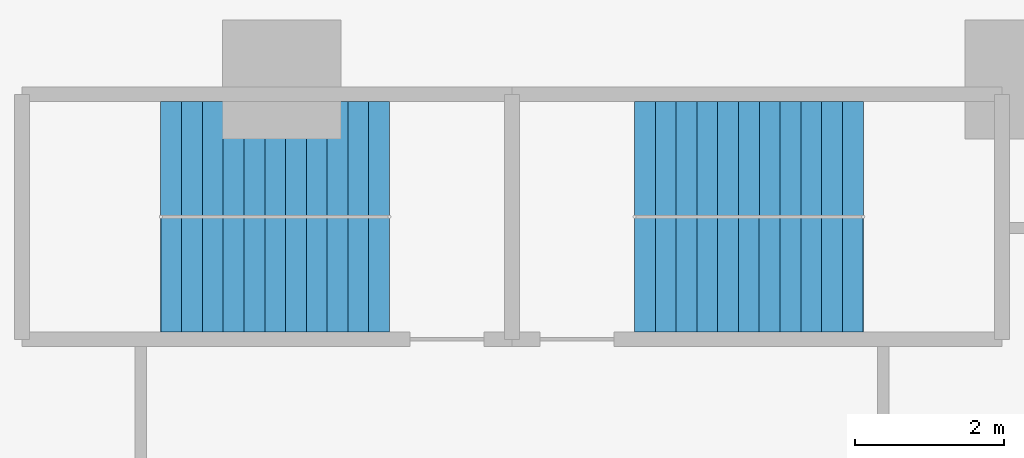
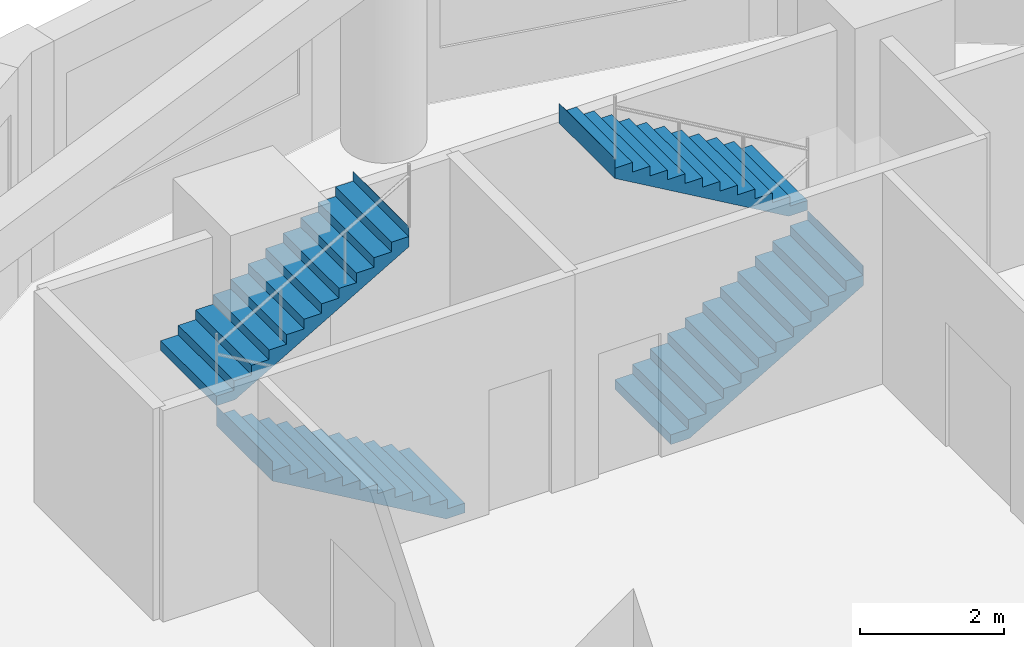
# One storey, part 8 of 10: 4 stair flights, 2 elements without a shape of their own.
"""IFC4 building model written with IfcOpenShell, lengths in metres."""

from ifc_helpers import new_model, si_unit, direction, frame, origin, place, context, subcontext, project, spatial, polyline, outline, extrude, material, type_object, element, aggregate, save


model = new_model("IFC4")

# Units and contexts
model_context = context("Model", 3, precision=1e-05, world=origin(), true_north=direction((0.0, 1.0)))
body_context = subcontext(model_context, "Body", "Model", "MODEL_VIEW")
ifc_project = project(units=[si_unit("LENGTHUNIT", "METRE"), si_unit("AREAUNIT", "SQUARE_METRE"), si_unit("VOLUMEUNIT", "CUBIC_METRE"), si_unit("PLANEANGLEUNIT", "RADIAN"), si_unit("MASSUNIT", "GRAM", prefix="KILO")], contexts=[model_context])

# Site, building, storey
site_placement = place(None, origin())
site = spatial("IfcSite", under=ifc_project, at=site_placement, CompositionType="ELEMENT")
building_placement = place(site_placement, origin())
building = spatial("IfcBuilding", under=site, at=building_placement, Name="Qaws Garden Tower", CompositionType="ELEMENT")
storey_placement = place(building_placement, frame((0.0, 0.0, 62.699951171875)))
storey = spatial("IfcBuildingStorey", under=building, at=storey_placement, Name="L15", CompositionType="ELEMENT", Elevation=62.699951171875)

# Stair, stair flights
ifc_material_1 = material(Name="Concrete C40", Category="concrete")
stair_type = type_object("IfcStairType", Name="Exit stair 1350", PredefinedType="HALF_TURN_STAIR", material=ifc_material_1)
placement = place(storey_placement, origin())
stair_1 = element("IfcStair", 1, at=placement, inside=storey, type_object=stair_type, Name="Stair 6", PredefinedType="HALF_TURN_STAIR")
ifc_material_2 = material(Name="Concrete C40", Category="concrete")
stair_flight_type = type_object("IfcStairFlightType", Name="Stair flight 1350", PredefinedType="STRAIGHT", material=ifc_material_2)
stair_flight_1_placement = place(storey_placement, frame((11.449951171875, 67.375, 0.0), z_axis=(0.0, 0.0, 1.0), x_axis=(-1.0, 0.0, 0.0)))
stair_flight_1 = element("IfcStairFlight", 2, at=stair_flight_1_placement, type_object=stair_flight_type, Name="ST6 flight 1", NumberOfRisers=12, NumberOfTreads=11, PredefinedType="STRAIGHT", RiserHeight=0.1625, TreadLength=0.28, context=body_context, shape_type="SweptSolid", body=[
    extrude(outline(polyline([(-0.0029296875, 0.0), (-0.0029296875, 0.16259765625), (0.0, 0.16259765625), (0.280029296875, 0.16259765625), (0.280029296875, 0.324951171875), (0.56005859375, 0.324951171875), (0.56005859375, 0.487548828125), (0.840087890625, 0.487548828125), (0.840087890625, 0.64990234375), (1.1201171875, 0.64990234375), (1.1201171875, 0.8125), (1.39990234375, 0.8125), (1.39990234375, 0.97509765625), (1.679931640625, 0.97509765625), (1.679931640625, 1.137451171875), (1.9599609375, 1.137451171875), (1.9599609375, 1.300048828125), (2.239990234375, 1.300048828125), (2.239990234375, 1.46240234375), (2.52001953125, 1.46240234375), (2.52001953125, 1.625), (2.800048828125, 1.625), (2.800048828125, 1.78759765625), (3.080078125, 1.78759765625), (3.080078125, 1.949951171875), (3.0830078125, 1.949951171875), (3.0830078125, 1.6142578125), (3.080078125, 1.6142578125), (0.298583984375, 0.0), (-0.0029296875, 0.0)])), frame((0.0, 0.77490234375, 0.0), z_axis=(0.0, -1.0, 0.0), x_axis=(1.0, 0.0, 0.0)), (0.0, 0.0, 1.0), 1.550048828125),
])
stair_flight_2_placement = place(storey_placement, frame((8.3701171875, 68.925048828125, 1.949951171875), z_axis=(0.0, 0.0, 1.0), x_axis=(1.0, 0.0, 0.0)))
stair_flight_2 = element("IfcStairFlight", 3, at=stair_flight_2_placement, type_object=stair_flight_type, Name="ST6 flight 2", NumberOfRisers=12, NumberOfTreads=11, PredefinedType="STRAIGHT", RiserHeight=0.1625, TreadLength=0.28, context=body_context, shape_type="SweptSolid", body=[
    extrude(outline(polyline([(-0.0029296875, 0.0), (-0.0029296875, 0.16259765625), (0.0, 0.16259765625), (0.280029296875, 0.16259765625), (0.280029296875, 0.324951171875), (0.56005859375, 0.324951171875), (0.56005859375, 0.487548828125), (0.840087890625, 0.487548828125), (0.840087890625, 0.64990234375), (1.1201171875, 0.64990234375), (1.1201171875, 0.8125), (1.39990234375, 0.8125), (1.39990234375, 0.97509765625), (1.679931640625, 0.97509765625), (1.679931640625, 1.137451171875), (1.9599609375, 1.137451171875), (1.9599609375, 1.300048828125), (2.239990234375, 1.300048828125), (2.239990234375, 1.46240234375), (2.52001953125, 1.46240234375), (2.52001953125, 1.625), (2.800048828125, 1.625), (2.800048828125, 1.78759765625), (3.080078125, 1.78759765625), (3.080078125, 1.949951171875), (3.0830078125, 1.949951171875), (3.0830078125, 1.6142578125), (3.080078125, 1.6142578125), (0.298583984375, 0.0), (-0.0029296875, 0.0)])), frame((0.0, 0.77490234375, 0.0), z_axis=(0.0, -1.0, 0.0), x_axis=(1.0, 0.0, 0.0)), (0.0, 0.0, 1.0), 1.550048828125),
])
aggregate(stair_1, [stair_flight_1, stair_flight_2])

stair_2 = element("IfcStair", 4, at=placement, inside=storey, type_object=stair_type, Name="Stair 7", PredefinedType="HALF_TURN_STAIR")
stair_flight_3_placement = place(storey_placement, frame((14.75, 67.375, 0.0), z_axis=(0.0, 0.0, 1.0), x_axis=(1.0, 0.0, 0.0)))
stair_flight_3 = element("IfcStairFlight", 5, at=stair_flight_3_placement, type_object=stair_flight_type, Name="ST7 flight 1", NumberOfRisers=12, NumberOfTreads=11, PredefinedType="STRAIGHT", RiserHeight=0.1625, TreadLength=0.28, context=body_context, shape_type="SweptSolid", body=[
    extrude(outline(polyline([(-0.0029296875, 0.0), (-0.0029296875, 0.16259765625), (0.0, 0.16259765625), (0.280029296875, 0.16259765625), (0.280029296875, 0.324951171875), (0.56005859375, 0.324951171875), (0.56005859375, 0.487548828125), (0.840087890625, 0.487548828125), (0.840087890625, 0.64990234375), (1.1201171875, 0.64990234375), (1.1201171875, 0.8125), (1.39990234375, 0.8125), (1.39990234375, 0.97509765625), (1.679931640625, 0.97509765625), (1.679931640625, 1.137451171875), (1.9599609375, 1.137451171875), (1.9599609375, 1.300048828125), (2.239990234375, 1.300048828125), (2.239990234375, 1.46240234375), (2.52001953125, 1.46240234375), (2.52001953125, 1.625), (2.800048828125, 1.625), (2.800048828125, 1.78759765625), (3.080078125, 1.78759765625), (3.080078125, 1.949951171875), (3.0830078125, 1.949951171875), (3.0830078125, 1.6142578125), (3.080078125, 1.6142578125), (0.298583984375, 0.0), (-0.0029296875, 0.0)])), frame((0.0, 0.77490234375, 0.0), z_axis=(0.0, -1.0, 0.0), x_axis=(1.0, 0.0, 0.0)), (0.0, 0.0, 1.0), 1.550048828125),
])
stair_flight_4_placement = place(storey_placement, frame((17.830078125, 68.925048828125, 1.949951171875), z_axis=(0.0, 0.0, 1.0), x_axis=(-1.0, 0.0, 0.0)))
stair_flight_4 = element("IfcStairFlight", 6, at=stair_flight_4_placement, type_object=stair_flight_type, Name="ST7 flight 2", NumberOfRisers=12, NumberOfTreads=11, PredefinedType="STRAIGHT", RiserHeight=0.1625, TreadLength=0.28, context=body_context, shape_type="SweptSolid", body=[
    extrude(outline(polyline([(-0.0029296875, 0.0), (-0.0029296875, 0.16259765625), (0.0, 0.16259765625), (0.280029296875, 0.16259765625), (0.280029296875, 0.324951171875), (0.56005859375, 0.324951171875), (0.56005859375, 0.487548828125), (0.840087890625, 0.487548828125), (0.840087890625, 0.64990234375), (1.1201171875, 0.64990234375), (1.1201171875, 0.8125), (1.39990234375, 0.8125), (1.39990234375, 0.97509765625), (1.679931640625, 0.97509765625), (1.679931640625, 1.137451171875), (1.9599609375, 1.137451171875), (1.9599609375, 1.300048828125), (2.239990234375, 1.300048828125), (2.239990234375, 1.46240234375), (2.52001953125, 1.46240234375), (2.52001953125, 1.625), (2.800048828125, 1.625), (2.800048828125, 1.78759765625), (3.080078125, 1.78759765625), (3.080078125, 1.949951171875), (3.0830078125, 1.949951171875), (3.0830078125, 1.6142578125), (3.080078125, 1.6142578125), (0.298583984375, 0.0), (-0.0029296875, 0.0)])), frame((0.0, 0.77490234375, 0.0), z_axis=(0.0, -1.0, 0.0), x_axis=(1.0, 0.0, 0.0)), (0.0, 0.0, 1.0), 1.550048828125),
])
aggregate(stair_2, [stair_flight_3, stair_flight_4])

save(model, "model.ifc")
